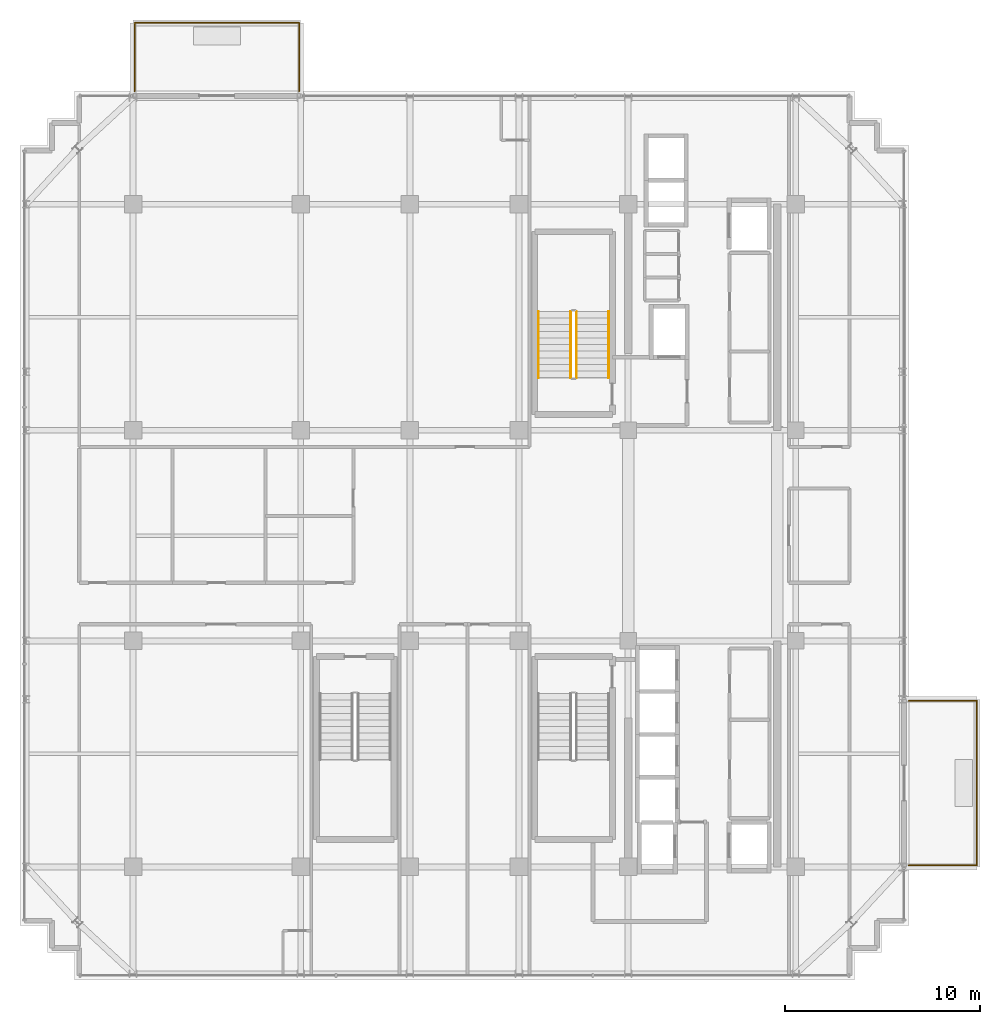
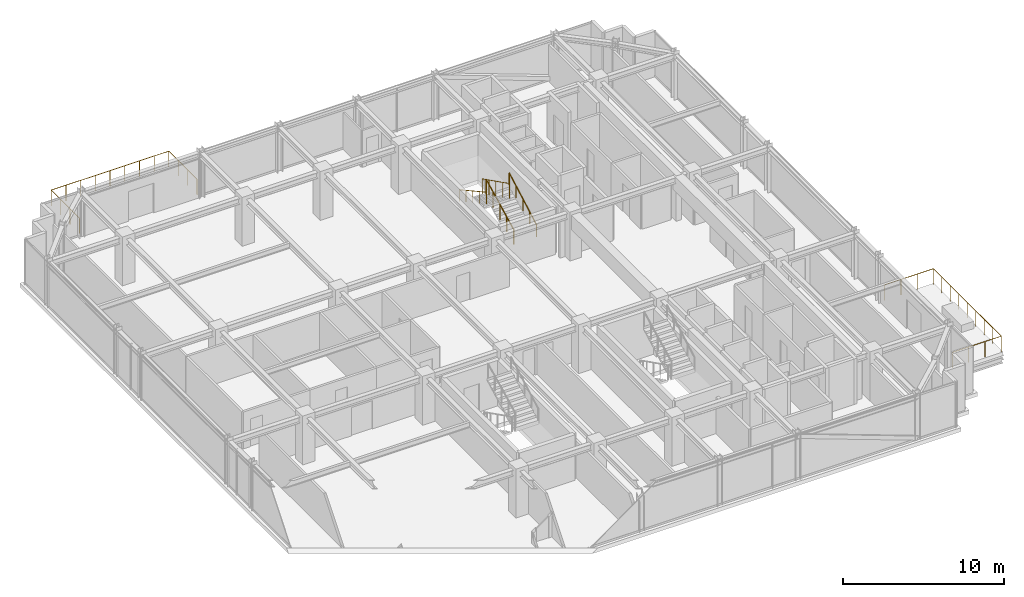
# One storey, part 29 of 31: 6 railings.
"""IFC4 building model written with IfcOpenShell, lengths in metres."""

from ifc_helpers import new_model, si_unit, direction, frame, origin, origin_2d, place, context, subcontext, project, spatial, circle, extrude, material, type_object, element, save


model = new_model("IFC4")

# Units and contexts
model_context = context("Model", 3, precision=1e-05, world=origin(), true_north=direction((0.0, 1.0)))
body_context = subcontext(model_context, "Body", "Model", "MODEL_VIEW")
ifc_project = project(units=[si_unit("LENGTHUNIT", "METRE"), si_unit("AREAUNIT", "SQUARE_METRE"), si_unit("VOLUMEUNIT", "CUBIC_METRE"), si_unit("PLANEANGLEUNIT", "RADIAN"), si_unit("MASSUNIT", "GRAM", prefix="KILO")], contexts=[model_context])

# Site, building, storey
site_placement = place(None, origin())
site = spatial("IfcSite", under=ifc_project, at=site_placement, CompositionType="ELEMENT")
building_placement = place(site_placement, origin())
building = spatial("IfcBuilding", under=site, at=building_placement, Name="Nahalor Promenade Grand Hotel", CompositionType="ELEMENT")
storey_placement = place(building_placement, frame((0.0, 0.0, 281.300048828125)))
storey = spatial("IfcBuildingStorey", under=building, at=storey_placement, Name="L72", CompositionType="ELEMENT", Elevation=281.300048828125)

# Railings
ifc_material_1 = material(Name="Anodised Bronze Aluminium EN AW-6063 T6", Category="aluminium")
railing_type_1 = type_object("IfcRailingType", Name="Bronze Balcony Guardrail 1200 mm", PredefinedType="GUARDRAIL", material=ifc_material_1)
railing_1_placement = place(storey_placement, frame((-16.919921875, 22.800048828125, 0.0)))
element("IfcRailing", 1, at=railing_1_placement, inside=storey, type_object=railing_type_1, Name="L72 Balcony Guardrail 1", PredefinedType="GUARDRAIL", context=body_context, shape_type="SweptSolid", body=[
    extrude(circle(Radius=0.024048, at=origin_2d()), frame((0.0, 0.0, 1.17578125), z_axis=(0.0, 1.0, 0.0), x_axis=(-1.0, 0.0, 0.0)), (0.0, 0.0, 1.0), 3.498046875),
    extrude(circle(Radius=0.024048, at=origin_2d()), frame((0.001953125, 3.5, 1.17578125), z_axis=(1.0, 0.0, 0.0), x_axis=(0.0, 1.0, 0.0)), (0.0, 0.0, 1.0), 8.43603515625),
    extrude(circle(Radius=0.024048, at=origin_2d()), frame((8.43994140625, 3.498046875, 1.17578125), z_axis=(0.0, -1.0, 0.0), x_axis=(1.0, 0.0, 0.0)), (0.0, 0.0, 1.0), 3.498046875),
    extrude(circle(Radius=0.020996, at=origin_2d()), origin(), (0.0, 0.0, 1.0), 1.14990234375),
    extrude(circle(Radius=0.020996, at=origin_2d()), frame((0.0, 1.166748046875, 0.0)), (0.0, 0.0, 1.0), 1.14990234375),
    extrude(circle(Radius=0.020996, at=origin_2d()), frame((0.0, 2.333251953125, 0.0)), (0.0, 0.0, 1.0), 1.14990234375),
    extrude(circle(Radius=0.020996, at=origin_2d()), frame((0.0, 3.5, 0.0)), (0.0, 0.0, 1.0), 1.14990234375),
    extrude(circle(Radius=0.020996, at=origin_2d()), frame((1.054931640625, 3.5, 0.0)), (0.0, 0.0, 1.0), 1.14990234375),
    extrude(circle(Radius=0.020996, at=origin_2d()), frame((2.10986328125, 3.5, 0.0)), (0.0, 0.0, 1.0), 1.14990234375),
    extrude(circle(Radius=0.020996, at=origin_2d()), frame((3.1650390625, 3.5, 0.0)), (0.0, 0.0, 1.0), 1.14990234375),
    extrude(circle(Radius=0.020996, at=origin_2d()), frame((4.219970703125, 3.5, 0.0)), (0.0, 0.0, 1.0), 1.14990234375),
    extrude(circle(Radius=0.020996, at=origin_2d()), frame((5.27490234375, 3.5, 0.0)), (0.0, 0.0, 1.0), 1.14990234375),
    extrude(circle(Radius=0.020996, at=origin_2d()), frame((6.330078125, 3.5, 0.0)), (0.0, 0.0, 1.0), 1.14990234375),
    extrude(circle(Radius=0.020996, at=origin_2d()), frame((7.385009765625, 3.5, 0.0)), (0.0, 0.0, 1.0), 1.14990234375),
    extrude(circle(Radius=0.020996, at=origin_2d()), frame((8.43994140625, 3.5, 0.0)), (0.0, 0.0, 1.0), 1.14990234375),
    extrude(circle(Radius=0.020996, at=origin_2d()), frame((8.43994140625, 2.333251953125, 0.0)), (0.0, 0.0, 1.0), 1.14990234375),
    extrude(circle(Radius=0.020996, at=origin_2d()), frame((8.43994140625, 1.166748046875, 0.0)), (0.0, 0.0, 1.0), 1.14990234375),
    extrude(circle(Radius=0.020996, at=origin_2d()), frame((8.43994140625, 0.0, 0.0)), (0.0, 0.0, 1.0), 1.14990234375),
])
railing_2_placement = place(storey_placement, frame((22.800048828125, -16.919921875, 0.0)))
element("IfcRailing", 2, at=railing_2_placement, inside=storey, type_object=railing_type_1, Name="L72 Balcony Guardrail 2", PredefinedType="GUARDRAIL", context=body_context, shape_type="SweptSolid", body=[
    extrude(circle(Radius=0.024048, at=origin_2d()), frame((0.0, 0.0, 1.17578125), z_axis=(1.0, 0.0, 0.0), x_axis=(0.0, 1.0, 0.0)), (0.0, 0.0, 1.0), 3.488037109375),
    extrude(circle(Radius=0.024048, at=origin_2d()), frame((3.489990234375, 0.001953125, 1.17578125), z_axis=(0.0, 1.0, 0.0), x_axis=(-1.0, 0.0, 0.0)), (0.0, 0.0, 1.0), 8.43603515625),
    extrude(circle(Radius=0.024048, at=origin_2d()), frame((3.488037109375, 8.43994140625, 1.17578125), z_axis=(-1.0, 0.0, 0.0), x_axis=(0.0, -1.0, 0.0)), (0.0, 0.0, 1.0), 3.488037109375),
    extrude(circle(Radius=0.020996, at=origin_2d()), origin(), (0.0, 0.0, 1.0), 1.14990234375),
    extrude(circle(Radius=0.020996, at=origin_2d()), frame((1.163330078125, 0.0, 0.0)), (0.0, 0.0, 1.0), 1.14990234375),
    extrude(circle(Radius=0.020996, at=origin_2d()), frame((2.32666015625, 0.0, 0.0)), (0.0, 0.0, 1.0), 1.14990234375),
    extrude(circle(Radius=0.020996, at=origin_2d()), frame((3.489990234375, 0.0, 0.0)), (0.0, 0.0, 1.0), 1.14990234375),
    extrude(circle(Radius=0.020996, at=origin_2d()), frame((3.489990234375, 1.054931640625, 0.0)), (0.0, 0.0, 1.0), 1.14990234375),
    extrude(circle(Radius=0.020996, at=origin_2d()), frame((3.489990234375, 2.10986328125, 0.0)), (0.0, 0.0, 1.0), 1.14990234375),
    extrude(circle(Radius=0.020996, at=origin_2d()), frame((3.489990234375, 3.1650390625, 0.0)), (0.0, 0.0, 1.0), 1.14990234375),
    extrude(circle(Radius=0.020996, at=origin_2d()), frame((3.489990234375, 4.219970703125, 0.0)), (0.0, 0.0, 1.0), 1.14990234375),
    extrude(circle(Radius=0.020996, at=origin_2d()), frame((3.489990234375, 5.27490234375, 0.0)), (0.0, 0.0, 1.0), 1.14990234375),
    extrude(circle(Radius=0.020996, at=origin_2d()), frame((3.489990234375, 6.330078125, 0.0)), (0.0, 0.0, 1.0), 1.14990234375),
    extrude(circle(Radius=0.020996, at=origin_2d()), frame((3.489990234375, 7.385009765625, 0.0)), (0.0, 0.0, 1.0), 1.14990234375),
    extrude(circle(Radius=0.020996, at=origin_2d()), frame((3.489990234375, 8.43994140625, 0.0)), (0.0, 0.0, 1.0), 1.14990234375),
    extrude(circle(Radius=0.020996, at=origin_2d()), frame((2.32666015625, 8.43994140625, 0.0)), (0.0, 0.0, 1.0), 1.14990234375),
    extrude(circle(Radius=0.020996, at=origin_2d()), frame((1.163330078125, 8.43994140625, 0.0)), (0.0, 0.0, 1.0), 1.14990234375),
    extrude(circle(Radius=0.020996, at=origin_2d()), frame((0.0, 8.43994140625, 0.0)), (0.0, 0.0, 1.0), 1.14990234375),
])
ifc_material_2 = material(Name="Steel S355JR", Category="steel")
railing_type_2 = type_object("IfcRailingType", Name="Steel Stair Guardrail 1150 mm", PredefinedType="GUARDRAIL", material=ifc_material_2)
railing_3_placement = place(storey_placement, frame((5.75, 8.10009765625, 0.17041015625)))
element("IfcRailing", 3, at=railing_3_placement, inside=storey, type_object=railing_type_2, Name="L72 ST1 stair guard 1", PredefinedType="GUARDRAIL", context=body_context, shape_type="SweptSolid", body=[
    extrude(circle(Radius=0.024048, at=origin_2d()), frame((0.0, 0.0, 1.1259765625), z_axis=(0.0, 0.89393879905, 0.448189048899), x_axis=(-1.0, 0.0, 0.0)), (0.0, 0.0, 1.0), 3.80322265625),
    extrude(circle(Radius=0.020996, at=origin_2d()), origin(), (0.0, 0.0, 1.0), 1.099853515625),
    extrude(circle(Radius=0.020996, at=origin_2d()), frame((0.0, 0.85009765625, 0.42626953125)), (0.0, 0.0, 1.0), 1.099853515625),
    extrude(circle(Radius=0.020996, at=origin_2d()), frame((0.0, 1.699951171875, 0.852294921875)), (0.0, 0.0, 1.0), 1.099853515625),
    extrude(circle(Radius=0.020996, at=origin_2d()), frame((0.0, 2.5498046875, 1.2783203125)), (0.0, 0.0, 1.0), 1.099853515625),
    extrude(circle(Radius=0.020996, at=origin_2d()), frame((0.0, 3.39990234375, 1.70458984375)), (0.0, 0.0, 1.0), 1.099853515625),
])
railing_4_placement = place(storey_placement, frame((5.449951171875, 11.5, 2.04541015625)))
element("IfcRailing", 4, at=railing_4_placement, inside=storey, type_object=railing_type_2, Name="L72 ST1 stair guard 3", PredefinedType="GUARDRAIL", context=body_context, shape_type="SweptSolid", body=[
    extrude(circle(Radius=0.024048, at=origin_2d()), frame((0.0, 0.0, 1.1259765625), z_axis=(0.0, -0.89393879905, 0.448189048899), x_axis=(1.0, 0.0, 0.0)), (0.0, 0.0, 1.0), 3.80322265625),
    extrude(circle(Radius=0.020996, at=origin_2d()), origin(), (0.0, 0.0, 1.0), 1.099853515625),
    extrude(circle(Radius=0.020996, at=origin_2d()), frame((0.0, -0.85009765625, 0.42626953125)), (0.0, 0.0, 1.0), 1.099853515625),
    extrude(circle(Radius=0.020996, at=origin_2d()), frame((0.0, -1.699951171875, 0.852294921875)), (0.0, 0.0, 1.0), 1.099853515625),
    extrude(circle(Radius=0.020996, at=origin_2d()), frame((0.0, -2.5498046875, 1.2783203125)), (0.0, 0.0, 1.0), 1.099853515625),
    extrude(circle(Radius=0.020996, at=origin_2d()), frame((0.0, -3.39990234375, 1.70458984375)), (0.0, 0.0, 1.0), 1.099853515625),
])
railing_type_3 = type_object("IfcRailingType", Name="Steel Stair Handrail 900 mm", PredefinedType="HANDRAIL", material=ifc_material_2)
railing_5_placement = place(storey_placement, frame((7.39990234375, 8.10009765625, 0.17041015625)))
element("IfcRailing", 5, at=railing_5_placement, inside=storey, type_object=railing_type_3, Name="L72 ST1 stair handrail 1", PredefinedType="HANDRAIL", context=body_context, shape_type="SweptSolid", body=[
    extrude(circle(Radius=0.024048, at=origin_2d()), frame((0.0, 0.0, 0.8759765625), z_axis=(0.0, 0.875665712831, 0.482917756322), x_axis=(-1.0, 0.0, 0.0)), (0.0, 0.0, 1.0), 3.882568359375),
    extrude(circle(Radius=0.020996, at=origin_2d()), origin(), (0.0, 0.0, 1.0), 0.849853515625),
    extrude(circle(Radius=0.020996, at=origin_2d()), frame((0.0, 0.85009765625, 0.46875)), (0.0, 0.0, 1.0), 0.849853515625),
    extrude(circle(Radius=0.020996, at=origin_2d()), frame((0.0, 1.699951171875, 0.9375)), (0.0, 0.0, 1.0), 0.849853515625),
    extrude(circle(Radius=0.020996, at=origin_2d()), frame((0.0, 2.5498046875, 1.40625)), (0.0, 0.0, 1.0), 0.849853515625),
    extrude(circle(Radius=0.020996, at=origin_2d()), frame((0.0, 3.39990234375, 1.875)), (0.0, 0.0, 1.0), 0.849853515625),
])
railing_6_placement = place(storey_placement, frame((3.800048828125, 11.5, 2.04541015625)))
element("IfcRailing", 6, at=railing_6_placement, inside=storey, type_object=railing_type_3, Name="L72 ST1 stair handrail 2", PredefinedType="HANDRAIL", context=body_context, shape_type="SweptSolid", body=[
    extrude(circle(Radius=0.024048, at=origin_2d()), frame((0.0, 0.0, 0.8759765625), z_axis=(0.0, -0.875665712831, 0.482917756322), x_axis=(1.0, 0.0, 0.0)), (0.0, 0.0, 1.0), 3.882568359375),
    extrude(circle(Radius=0.020996, at=origin_2d()), origin(), (0.0, 0.0, 1.0), 0.849853515625),
    extrude(circle(Radius=0.020996, at=origin_2d()), frame((0.0, -0.85009765625, 0.46875)), (0.0, 0.0, 1.0), 0.849853515625),
    extrude(circle(Radius=0.020996, at=origin_2d()), frame((0.0, -1.699951171875, 0.9375)), (0.0, 0.0, 1.0), 0.849853515625),
    extrude(circle(Radius=0.020996, at=origin_2d()), frame((0.0, -2.5498046875, 1.40625)), (0.0, 0.0, 1.0), 0.849853515625),
    extrude(circle(Radius=0.020996, at=origin_2d()), frame((0.0, -3.39990234375, 1.875)), (0.0, 0.0, 1.0), 0.849853515625),
])

save(model, "model.ifc")
